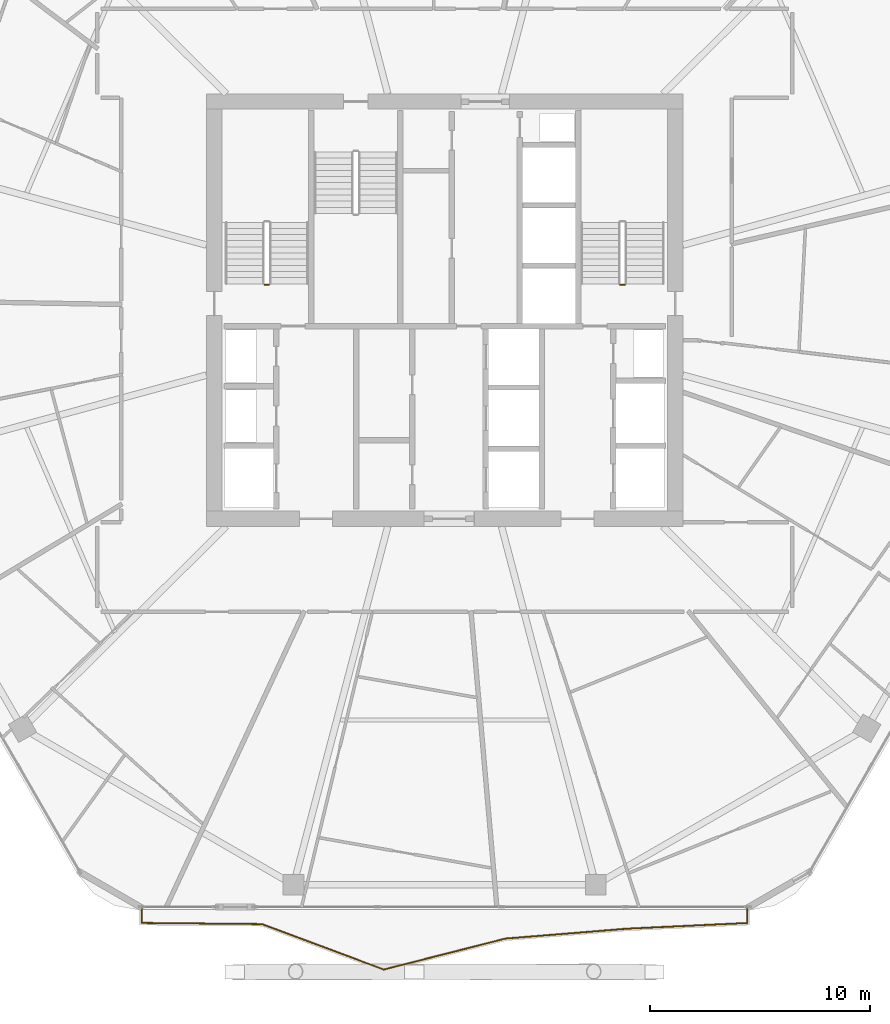
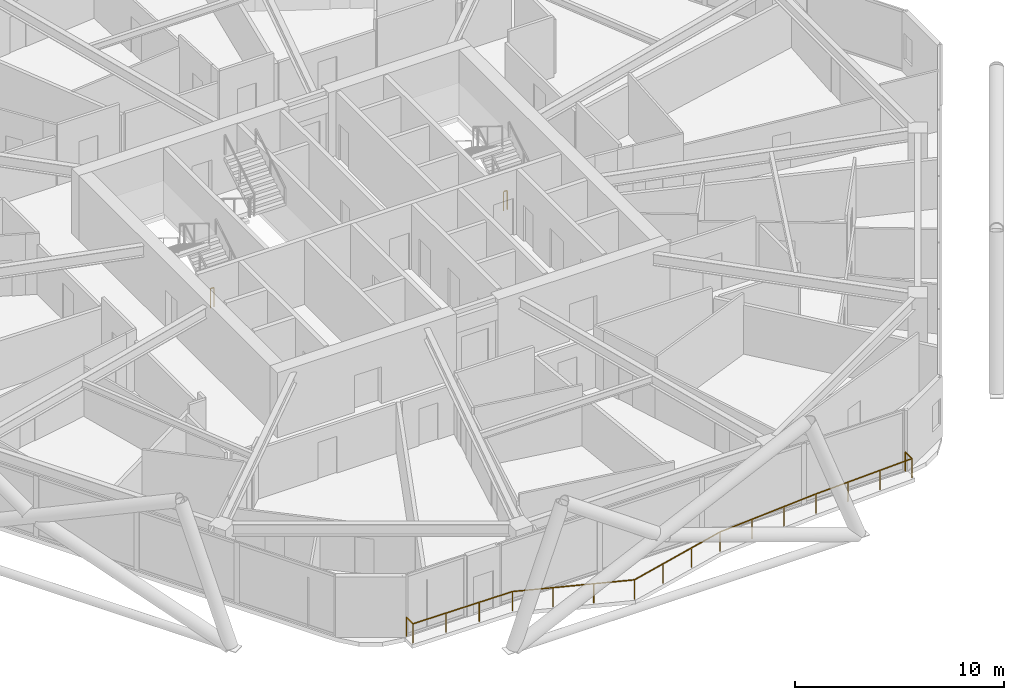
# One storey, part 27 of 28: 3 railings.
"""IFC4 building model written with IfcOpenShell, lengths in metres."""

from ifc_helpers import new_model, si_unit, direction, frame, origin, origin_2d, place, context, subcontext, project, spatial, rectangle, extrude, material, type_object, element, save


model = new_model("IFC4")

# Units and contexts
model_context = context("Model", 3, precision=1e-05, world=origin(), true_north=direction((0.0, 1.0)))
body_context = subcontext(model_context, "Body", "Model", "MODEL_VIEW")
ifc_project = project(units=[si_unit("LENGTHUNIT", "METRE"), si_unit("AREAUNIT", "SQUARE_METRE"), si_unit("VOLUMEUNIT", "CUBIC_METRE"), si_unit("PLANEANGLEUNIT", "RADIAN"), si_unit("MASSUNIT", "GRAM", prefix="KILO")], contexts=[model_context])

# Site, building, storey
site_placement = place(None, origin())
site = spatial("IfcSite", under=ifc_project, at=site_placement, CompositionType="ELEMENT")
building_placement = place(site_placement, origin())
building = spatial("IfcBuilding", under=site, at=building_placement, Name="Zuhravey Tower", CompositionType="ELEMENT")
storey_placement = place(building_placement, frame((0.0, 0.0, 207.39990234375)))
storey = spatial("IfcBuildingStorey", under=building, at=storey_placement, Name="L52", CompositionType="ELEMENT", Elevation=207.39990234375)

# Railings
ifc_material_1 = material(Name="Stainless steel 316 and laminated glass", Category="steel")
railing_type_1 = type_object("IfcRailingType", Name="Balcony & Terrace Guardrail 1150", PredefinedType="BALUSTRADE", material=ifc_material_1)
railing_placement = place(storey_placement, frame((49.7900390625, 4.73193359375, 0.0)))
element("IfcRailing", 1, at=railing_placement, inside=storey, type_object=railing_type_1, Name="L52 Face 5 Wave Balcony Guardrail GR1", PredefinedType="BALUSTRADE", context=body_context, shape_type="SweptSolid", body=[
    extrude(rectangle(XDim=0.048095703125, YDim=0.048095703125, at=origin_2d()), frame((0.0, -0.001953125, 1.1259765625), z_axis=(0.0, -1.0, 0.0), x_axis=(1.0, 0.0, 0.0)), (0.0, 0.0, 1.0), 0.640625),
    extrude(rectangle(XDim=0.048095703125, YDim=0.048095703125, at=origin_2d()), frame((-0.001953125, -0.64453125, 1.1259765625), z_axis=(-0.99888804879, -0.047145158645, 0.0), x_axis=(0.047145158645, -0.99888804879, 0.0)), (0.0, 0.0, 1.0), 5.464599609375),
    extrude(rectangle(XDim=0.048095703125, YDim=0.048095703125, at=origin_2d()), frame((-5.46435546875, -0.902587890625, 1.1259765625), z_axis=(-0.996709889921, -0.081051806479, 0.0), x_axis=(0.081051806479, -0.996709889921, 0.0)), (0.0, 0.0, 1.0), 5.58056640625),
    extrude(rectangle(XDim=0.048095703125, YDim=0.048095703125, at=origin_2d()), frame((-11.030517578125, -1.35546875, 1.1259765625), z_axis=(-0.969061670524, -0.246818716312, 0.0), x_axis=(0.246818716312, -0.969061670524, 0.0)), (0.0, 0.0, 1.0), 5.706298828125),
    extrude(rectangle(XDim=0.048095703125, YDim=0.048095703125, at=origin_2d()), frame((-16.564208984375, -2.763671875, 1.1259765625), z_axis=(-0.936781115748, 0.349915905865, 0.0), x_axis=(-0.349915905865, -0.936781115748, 0.0)), (0.0, 0.0, 1.0), 5.913330078125),
    extrude(rectangle(XDim=0.048095703125, YDim=0.048095703125, at=origin_2d()), frame((-22.107421875, -0.69384765625, 1.1259765625), z_axis=(-0.999953610348, 0.009632089718, 0.0), x_axis=(-0.009632089718, -0.999953610348, 0.0)), (0.0, 0.0, 1.0), 5.470947265625),
    extrude(rectangle(XDim=0.048095703125, YDim=0.048095703125, at=origin_2d()), frame((-27.580078125, -0.63916015625, 1.1259765625), z_axis=(0.0, 1.0, 0.0), x_axis=(-1.0, 0.0, 0.0)), (0.0, 0.0, 1.0), 0.63720703125),
    extrude(rectangle(XDim=0.0419921875, YDim=0.0419921875, at=origin_2d()), origin(), (0.0, 0.0, 1.0), 1.099853515625),
    extrude(rectangle(XDim=0.0419921875, YDim=0.0419921875, at=origin_2d()), frame((0.0, -0.64453125, 0.0)), (0.0, 0.0, 1.0), 1.099853515625),
    extrude(rectangle(XDim=0.0419921875, YDim=0.0419921875, at=origin_2d()), frame((-1.82080078125, -0.73046875, 0.0)), (0.0, 0.0, 1.0), 1.099853515625),
    extrude(rectangle(XDim=0.0419921875, YDim=0.0419921875, at=origin_2d()), frame((-3.6416015625, -0.81640625, 0.0)), (0.0, 0.0, 1.0), 1.099853515625),
    extrude(rectangle(XDim=0.0419921875, YDim=0.0419921875, at=origin_2d()), frame((-5.46240234375, -0.90234375, 0.0)), (0.0, 0.0, 1.0), 1.099853515625),
    extrude(rectangle(XDim=0.0419921875, YDim=0.0419921875, at=origin_2d()), frame((-7.31787109375, -1.05322265625, 0.0)), (0.0, 0.0, 1.0), 1.099853515625),
    extrude(rectangle(XDim=0.0419921875, YDim=0.0419921875, at=origin_2d()), frame((-9.173095703125, -1.2041015625, 0.0)), (0.0, 0.0, 1.0), 1.099853515625),
    extrude(rectangle(XDim=0.0419921875, YDim=0.0419921875, at=origin_2d()), frame((-11.028564453125, -1.35498046875, 0.0)), (0.0, 0.0, 1.0), 1.099853515625),
    extrude(rectangle(XDim=0.0419921875, YDim=0.0419921875, at=origin_2d()), frame((-12.873046875, -1.82470703125, 0.0)), (0.0, 0.0, 1.0), 1.099853515625),
    extrude(rectangle(XDim=0.0419921875, YDim=0.0419921875, at=origin_2d()), frame((-14.7177734375, -2.294677734375, 0.0)), (0.0, 0.0, 1.0), 1.099853515625),
    extrude(rectangle(XDim=0.0419921875, YDim=0.0419921875, at=origin_2d()), frame((-16.562255859375, -2.764404296875, 0.0)), (0.0, 0.0, 1.0), 1.099853515625),
    extrude(rectangle(XDim=0.0419921875, YDim=0.0419921875, at=origin_2d()), frame((-18.409912109375, -2.07421875, 0.0)), (0.0, 0.0, 1.0), 1.099853515625),
    extrude(rectangle(XDim=0.0419921875, YDim=0.0419921875, at=origin_2d()), frame((-20.2578125, -1.384033203125, 0.0)), (0.0, 0.0, 1.0), 1.099853515625),
    extrude(rectangle(XDim=0.0419921875, YDim=0.0419921875, at=origin_2d()), frame((-22.10546875, -0.69384765625, 0.0)), (0.0, 0.0, 1.0), 1.099853515625),
    extrude(rectangle(XDim=0.0419921875, YDim=0.0419921875, at=origin_2d()), frame((-23.930419921875, -0.67626953125, 0.0)), (0.0, 0.0, 1.0), 1.099853515625),
    extrude(rectangle(XDim=0.0419921875, YDim=0.0419921875, at=origin_2d()), frame((-25.755126953125, -0.65869140625, 0.0)), (0.0, 0.0, 1.0), 1.099853515625),
    extrude(rectangle(XDim=0.0419921875, YDim=0.0419921875, at=origin_2d()), frame((-27.580078125, -0.64111328125, 0.0)), (0.0, 0.0, 1.0), 1.099853515625),
    extrude(rectangle(XDim=0.0419921875, YDim=0.0419921875, at=origin_2d()), frame((-27.580078125, 0.0, 0.0)), (0.0, 0.0, 1.0), 1.099853515625),
])
ifc_material_2 = material(Name="Painted tubular steel", Category="steel")
railing_type_2 = type_object("IfcRailingType", Name="Stair Well Guardrail 1150", PredefinedType="GUARDRAIL", material=ifc_material_2)
for number, where, name in (
    (2, (28.0, 33.14990234375, 0.0), "L52 ST1 stair guard 4"),
    (3, (44.199951171875, 33.14990234375, 0.0), "L52 ST2 stair guard 4"),
):
    element("IfcRailing", number, at=place(storey_placement, frame(where)), inside=storey, type_object=railing_type_2, Name=name, PredefinedType="GUARDRAIL", context=body_context, shape_type="SweptSolid", body=[
        extrude(rectangle(XDim=0.048095703125, YDim=0.048095703125, at=origin_2d()), frame((-0.001953125, 0.0, 1.1259765625), z_axis=(-1.0, 0.0, 0.0), x_axis=(0.0, -1.0, 0.0)), (0.0, 0.0, 1.0), 0.196044921875),
        extrude(rectangle(XDim=0.0419921875, YDim=0.0419921875, at=origin_2d()), origin(), (0.0, 0.0, 1.0), 1.099853515625),
        extrude(rectangle(XDim=0.0419921875, YDim=0.0419921875, at=origin_2d()), frame((-0.199951171875, 0.0, 0.0)), (0.0, 0.0, 1.0), 1.099853515625),
    ])

save(model, "model.ifc")
